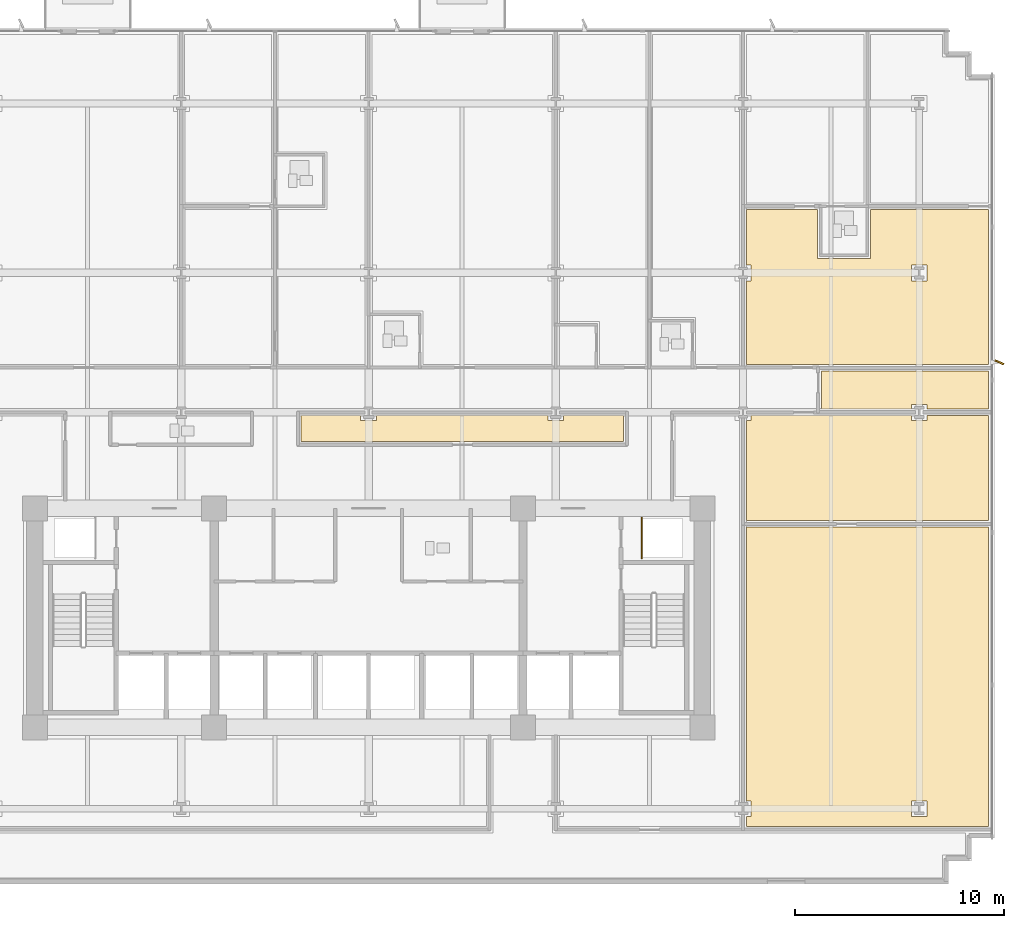
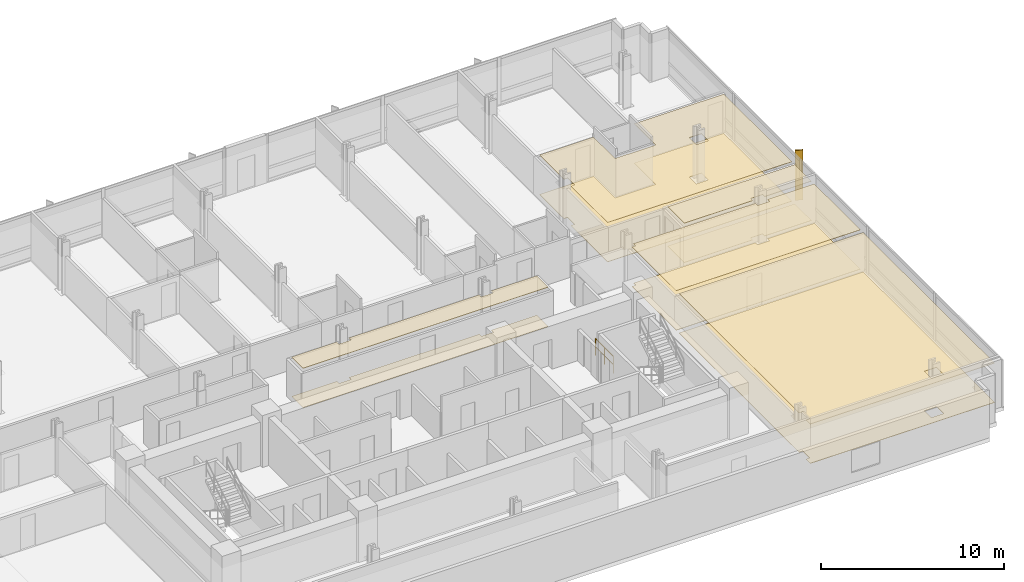
# One storey, part 15 of 17: 10 coverings, 1 railing, 1 shading device.
"""IFC4 building model written with IfcOpenShell, lengths in metres."""

from ifc_helpers import new_model, si_unit, direction, frame, origin, origin_2d, place, context, subcontext, project, spatial, polyline, rectangle, circle, outline, extrude, material, layer, layer_set, type_object, element, save


model = new_model("IFC4")

# Units and contexts
model_context = context("Model", 3, precision=1e-05, world=origin(), true_north=direction((0.0, 1.0)))
body_context = subcontext(model_context, "Body", "Model", "MODEL_VIEW")
ifc_project = project(units=[si_unit("LENGTHUNIT", "METRE"), si_unit("AREAUNIT", "SQUARE_METRE"), si_unit("VOLUMEUNIT", "CUBIC_METRE"), si_unit("PLANEANGLEUNIT", "RADIAN"), si_unit("MASSUNIT", "GRAM", prefix="KILO")], contexts=[model_context])

# Site, building, storey
site_placement = place(None, origin())
site = spatial("IfcSite", under=ifc_project, at=site_placement, CompositionType="ELEMENT")
building_placement = place(site_placement, origin())
building = spatial("IfcBuilding", under=site, at=building_placement, Name="Solmavex Isthmus Hotel", CompositionType="ELEMENT")
storey_placement = place(building_placement, frame((0.0, 0.0, 47.10009765625)))
storey = spatial("IfcBuildingStorey", under=building, at=storey_placement, Name="L12", CompositionType="ELEMENT", Elevation=47.10009765625)

# Coverings
ifc_material_1 = material(Name="Gypsum plasterboard lining", Category="gypsum")
ifc_layer_1 = layer(ifc_material_1, 0.030029296875)
ifc_layer_set_1 = layer_set([ifc_layer_1], Name="Gypsum plasterboard lining")
covering_type_1 = type_object("IfcCoveringType", Name="COV-CEIL-GYP", PredefinedType="CEILING", material=ifc_layer_set_1)
covering_1_placement = place(storey_placement, frame((0.0, 0.0, 2.619873046875)))
element("IfcCovering", 1, at=covering_1_placement, inside=storey, type_object=covering_type_1, Name="Suspended Acoustic Ceiling L12-ST06-FY", PredefinedType="CEILING", context=body_context, shape_type="SweptSolid", body=[
    extrude(outline(polyline([(18.10693359375, 9.16796875), (18.33203125, 9.16796875), (18.33203125, 8.407958984375), (18.10693359375, 8.407958984375), (18.10693359375, 4.405029296875), (21.70703125, 4.405029296875), (21.70703125, 4.385009765625), (29.72509765625, 4.385009765625), (29.72509765625, 11.8330078125), (24.071044921875, 11.8330078125), (24.071044921875, 9.48291015625), (21.510986328125, 9.48291015625), (21.510986328125, 11.8330078125), (18.10693359375, 11.8330078125), (18.10693359375, 9.16796875)]), holes=[polyline([(26.02001953125, 8.407958984375), (26.02001953125, 9.16796875), (26.780029296875, 9.16796875), (26.780029296875, 8.407958984375), (26.02001953125, 8.407958984375)])]), origin(), (0.0, 0.0, 1.0), 0.030029296875),
])
covering_2_placement = place(storey_placement, frame((0.0, 0.0, 2.619873046875)))
element("IfcCovering", 2, at=covering_2_placement, inside=storey, type_object=covering_type_1, Name="Suspended Acoustic Ceiling L12-FL09", PredefinedType="CEILING", context=body_context, shape_type="SweptSolid", body=[
    extrude(outline(polyline([(26.02001953125, 2.2548828125), (26.02001953125, 2.47998046875), (26.780029296875, 2.47998046875), (26.780029296875, 2.2548828125), (29.72509765625, 2.2548828125), (29.72509765625, 4.074951171875), (21.70703125, 4.074951171875), (21.70703125, 2.2548828125), (26.02001953125, 2.2548828125)])), origin(), (0.0, 0.0, 1.0), 0.030029296875),
])
covering_3_placement = place(storey_placement, frame((0.0, 0.0, 2.619873046875)))
element("IfcCovering", 3, at=covering_3_placement, inside=storey, type_object=covering_type_1, Name="Suspended Acoustic Ceiling L12-FL10", PredefinedType="CEILING", context=body_context, shape_type="SweptSolid", body=[
    extrude(outline(polyline([(0.3798828125, 1.945068359375), (0.3798828125, 1.719970703125), (-0.3798828125, 1.719970703125), (-0.3798828125, 1.945068359375), (-3.23291015625, 1.945068359375), (-3.23291015625, 0.705078125), (12.22900390625, 0.705078125), (12.22900390625, 1.945068359375), (9.35595703125, 1.945068359375), (9.35595703125, 1.719970703125), (8.595947265625, 1.719970703125), (8.595947265625, 1.945068359375), (0.3798828125, 1.945068359375)])), origin(), (0.0, 0.0, 1.0), 0.030029296875),
])
covering_4_placement = place(storey_placement, frame((0.0, 0.0, 2.619873046875)))
element("IfcCovering", 4, at=covering_4_placement, inside=storey, type_object=covering_type_1, Name="Suspended Acoustic Ceiling L12-FL12", PredefinedType="CEILING", context=body_context, shape_type="SweptSolid", body=[
    extrude(outline(polyline([(26.780029296875, 1.945068359375), (26.780029296875, 1.719970703125), (26.02001953125, 1.719970703125), (26.02001953125, 1.945068359375), (18.33203125, 1.945068359375), (18.33203125, 1.719970703125), (18.10693359375, 1.719970703125), (18.10693359375, -3.094970703125), (29.72509765625, -3.094970703125), (29.72509765625, 1.945068359375), (26.780029296875, 1.945068359375)])), origin(), (0.0, 0.0, 1.0), 0.030029296875),
])
covering_5_placement = place(storey_placement, frame((0.0, 0.0, 2.619873046875)))
element("IfcCovering", 5, at=covering_5_placement, inside=storey, type_object=covering_type_1, Name="Suspended Acoustic Ceiling L12-FL17", PredefinedType="CEILING", context=body_context, shape_type="SweptSolid", body=[
    extrude(outline(polyline([(18.10693359375, -16.52001953125), (18.33203125, -16.52001953125), (18.33203125, -17.280029296875), (18.10693359375, -17.280029296875), (18.10693359375, -17.7451171875), (29.72509765625, -17.7451171875), (29.72509765625, -3.405029296875), (18.10693359375, -3.405029296875), (18.10693359375, -16.52001953125)]), holes=[polyline([(26.02001953125, -17.280029296875), (26.02001953125, -16.52001953125), (26.780029296875, -16.52001953125), (26.780029296875, -17.280029296875), (26.02001953125, -17.280029296875)])]), origin(), (0.0, 0.0, 1.0), 0.030029296875),
])
ifc_material_2 = material(Name="Travertine natural stone", Category="masonry")
ifc_layer_2 = layer(ifc_material_2, 0.02490234375)
ifc_layer_set_2 = layer_set([ifc_layer_2], Name="Travertine natural stone")
covering_type_2 = type_object("IfcCoveringType", Name="COV-FLOR-STN", PredefinedType="FLOORING", material=ifc_layer_set_2)
covering_6_placement = place(storey_placement, origin())
element("IfcCovering", 6, at=covering_6_placement, inside=storey, type_object=covering_type_2, Name="Stone and Timber Floor Finish L12-ST06-FY", PredefinedType="FLOORING", context=body_context, shape_type="SweptSolid", body=[
    extrude(outline(polyline([(18.10693359375, 9.16796875), (18.33203125, 9.16796875), (18.33203125, 8.407958984375), (18.10693359375, 8.407958984375), (18.10693359375, 4.405029296875), (21.70703125, 4.405029296875), (21.70703125, 4.385009765625), (29.72509765625, 4.385009765625), (29.72509765625, 11.8330078125), (24.071044921875, 11.8330078125), (24.071044921875, 9.48291015625), (21.510986328125, 9.48291015625), (21.510986328125, 11.8330078125), (18.10693359375, 11.8330078125), (18.10693359375, 9.16796875)]), holes=[polyline([(26.02001953125, 8.407958984375), (26.02001953125, 9.16796875), (26.780029296875, 9.16796875), (26.780029296875, 8.407958984375), (26.02001953125, 8.407958984375)])]), origin(), (0.0, 0.0, 1.0), 0.02490234375),
])
covering_7_placement = place(storey_placement, origin())
element("IfcCovering", 7, at=covering_7_placement, inside=storey, type_object=covering_type_2, Name="Stone and Timber Floor Finish L12-FL09", PredefinedType="FLOORING", context=body_context, shape_type="SweptSolid", body=[
    extrude(outline(polyline([(26.02001953125, 2.2548828125), (26.02001953125, 2.47998046875), (26.780029296875, 2.47998046875), (26.780029296875, 2.2548828125), (29.72509765625, 2.2548828125), (29.72509765625, 4.074951171875), (21.70703125, 4.074951171875), (21.70703125, 2.2548828125), (26.02001953125, 2.2548828125)])), origin(), (0.0, 0.0, 1.0), 0.02490234375),
])
covering_8_placement = place(storey_placement, origin())
element("IfcCovering", 8, at=covering_8_placement, inside=storey, type_object=covering_type_2, Name="Stone and Timber Floor Finish L12-FL10", PredefinedType="FLOORING", context=body_context, shape_type="SweptSolid", body=[
    extrude(outline(polyline([(0.3798828125, 1.945068359375), (0.3798828125, 1.719970703125), (-0.3798828125, 1.719970703125), (-0.3798828125, 1.945068359375), (-3.23291015625, 1.945068359375), (-3.23291015625, 0.705078125), (12.22900390625, 0.705078125), (12.22900390625, 1.945068359375), (9.35595703125, 1.945068359375), (9.35595703125, 1.719970703125), (8.595947265625, 1.719970703125), (8.595947265625, 1.945068359375), (0.3798828125, 1.945068359375)])), origin(), (0.0, 0.0, 1.0), 0.02490234375),
])
covering_9_placement = place(storey_placement, origin())
element("IfcCovering", 9, at=covering_9_placement, inside=storey, type_object=covering_type_2, Name="Stone and Timber Floor Finish L12-FL12", PredefinedType="FLOORING", context=body_context, shape_type="SweptSolid", body=[
    extrude(outline(polyline([(26.780029296875, 1.945068359375), (26.780029296875, 1.719970703125), (26.02001953125, 1.719970703125), (26.02001953125, 1.945068359375), (18.33203125, 1.945068359375), (18.33203125, 1.719970703125), (18.10693359375, 1.719970703125), (18.10693359375, -3.094970703125), (29.72509765625, -3.094970703125), (29.72509765625, 1.945068359375), (26.780029296875, 1.945068359375)])), origin(), (0.0, 0.0, 1.0), 0.02490234375),
])
covering_10_placement = place(storey_placement, origin())
element("IfcCovering", 10, at=covering_10_placement, inside=storey, type_object=covering_type_2, Name="Stone and Timber Floor Finish L12-FL17", PredefinedType="FLOORING", context=body_context, shape_type="SweptSolid", body=[
    extrude(outline(polyline([(18.10693359375, -16.52001953125), (18.33203125, -16.52001953125), (18.33203125, -17.280029296875), (18.10693359375, -17.280029296875), (18.10693359375, -17.7451171875), (29.72509765625, -17.7451171875), (29.72509765625, -3.405029296875), (18.10693359375, -3.405029296875), (18.10693359375, -16.52001953125)]), holes=[polyline([(26.02001953125, -17.280029296875), (26.02001953125, -16.52001953125), (26.780029296875, -16.52001953125), (26.780029296875, -17.280029296875), (26.02001953125, -17.280029296875)])]), origin(), (0.0, 0.0, 1.0), 0.02490234375),
])

# Railing
ifc_material_3 = material(Name="Clear low-E laminated glass", Category="glass")
ifc_layer_3 = layer(ifc_material_3, 0.080078125)
ifc_layer_set_3 = layer_set([ifc_layer_3], Name="Clear low-E laminated glass")
railing_type = type_object("IfcRailingType", Name="RAIL-ATRIUM-1120", PredefinedType="BALUSTRADE", material=ifc_layer_set_3)
railing_placement = place(storey_placement, frame((13.10009765625, -4.89990234375, 0.0)))
element("IfcRailing", 11, at=railing_placement, inside=storey, type_object=railing_type, Name="Guardrail Balustrade L12-RSE-01", PredefinedType="BALUSTRADE", context=body_context, shape_type="SweptSolid", body=[
    extrude(circle(Radius=0.02392578125, at=origin_2d()), frame((0.0, 0.0, 1.1259765625), z_axis=(0.0, 1.0, 0.0), x_axis=(-1.0, 0.0, 0.0)), (0.0, 0.0, 1.0), 1.949951171875),
    extrude(circle(Radius=0.02392578125, at=origin_2d()), frame((0.0, 0.0, 0.574951171875), z_axis=(0.0, 1.0, 0.0), x_axis=(-1.0, 0.0, 0.0)), (0.0, 0.0, 1.0), 1.949951171875),
    extrude(circle(Radius=0.02099609375, at=origin_2d()), origin(), (0.0, 0.0, 1.0), 1.101806640625),
    extrude(circle(Radius=0.02099609375, at=origin_2d()), frame((0.0, 0.97509765625, 0.0)), (0.0, 0.0, 1.0), 1.101806640625),
    extrude(circle(Radius=0.02099609375, at=origin_2d()), frame((0.0, 1.949951171875, 0.0)), (0.0, 0.0, 1.0), 1.101806640625),
])

# Shading device
ifc_material_4 = material(Name="Aluminium alloy 6063-T6", Category="aluminium")
shading_device_type = type_object("IfcShadingDeviceType", Name="SHD-FIN-BRONZE", PredefinedType="USERDEFINED", material=ifc_material_4)
shading_device_placement = place(storey_placement, frame((30.239990234375, 4.5, -0.14013671875), z_axis=(0.0, 0.0, 1.0), x_axis=(0.913545457643, -0.406736643076, 0.0)))
element("IfcShadingDevice", 12, at=shading_device_placement, inside=storey, type_object=shading_device_type, Name="Anodised Aluminium Solar Fin L12-E1", ObjectType="SOLAR_FIN", PredefinedType="USERDEFINED", context=body_context, shape_type="SweptSolid", body=[
    extrude(rectangle(XDim=0.449951171875, YDim=0.080078125, at=origin_2d()), origin(), (0.0, 0.0, 1.0), 3.330078125),
])

save(model, "model.ifc")
